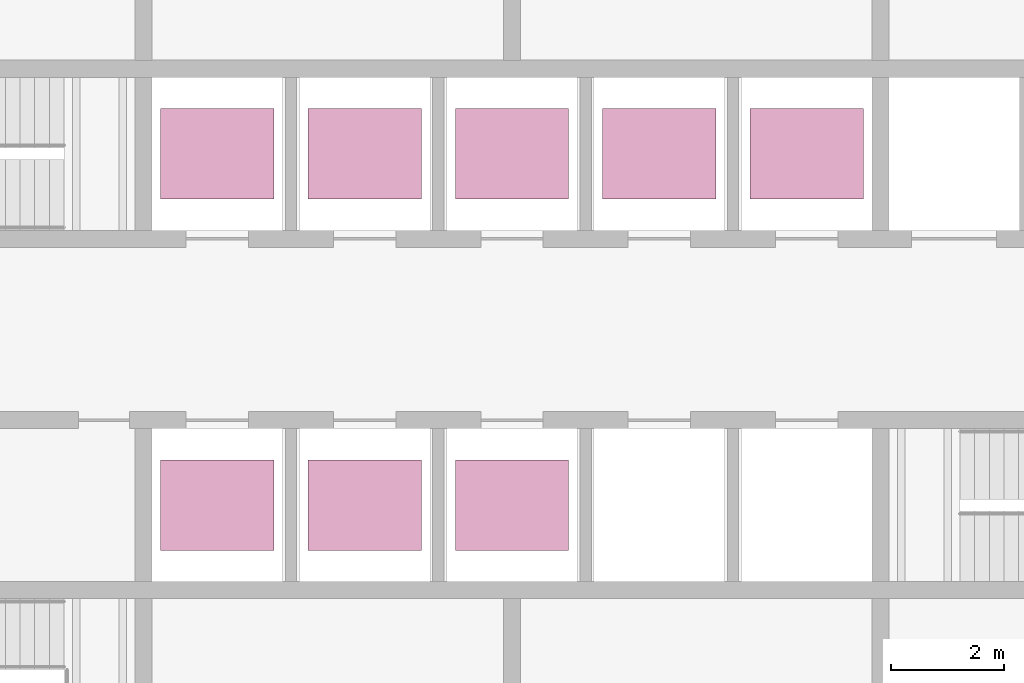
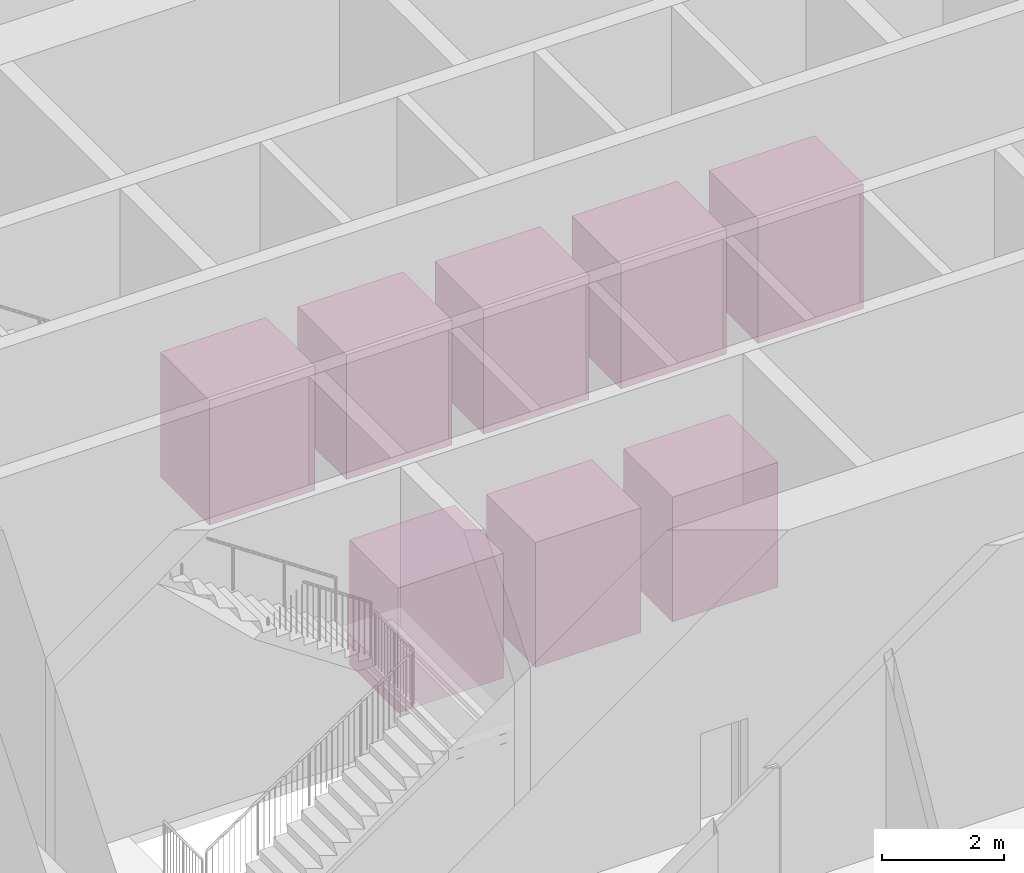
# One storey, part 23 of 23: 8 transport elements.
"""IFC4 building model written with IfcOpenShell, lengths in metres."""

from ifc_helpers import new_model, si_unit, direction, frame, origin, origin_2d, place, context, subcontext, project, spatial, rectangle, extrude, material, type_object, element, save


model = new_model("IFC4")

# Units and contexts
model_context = context("Model", 3, precision=1e-05, world=origin(), true_north=direction((0.0, 1.0)))
body_context = subcontext(model_context, "Body", "Model", "MODEL_VIEW")
ifc_project = project(units=[si_unit("LENGTHUNIT", "METRE"), si_unit("AREAUNIT", "SQUARE_METRE"), si_unit("VOLUMEUNIT", "CUBIC_METRE"), si_unit("PLANEANGLEUNIT", "RADIAN"), si_unit("MASSUNIT", "GRAM", prefix="KILO")], contexts=[model_context])

# Site, building, storey
site_placement = place(None, origin())
site = spatial("IfcSite", under=ifc_project, at=site_placement, CompositionType="ELEMENT")
building_placement = place(site_placement, origin())
building = spatial("IfcBuilding", under=site, at=building_placement, Name="Marramba Exchange Tower", CompositionType="ELEMENT")
storey_placement = place(building_placement, origin())
storey = spatial("IfcBuildingStorey", under=building, at=storey_placement, Name="L00", CompositionType="ELEMENT", Elevation=0.0)

# Transport elements
ifc_material = material(Name="Steel lift car, stainless steel lining", Category="steel")
transport_element_type_1 = type_object("IfcTransportElementType", Name="Executive passenger lift car 2000x1600", PredefinedType="ELEVATOR", material=ifc_material)
for number, where, z_axis, x_axis, name in (
    (1, (2.60009765625, 3.10009765625, 0.0), (0.0, 0.0, 1.0), (1.0, 0.0, 0.0), "Lift LD1"),
    (2, (5.199951171875, 3.10009765625, 0.0), (0.0, 0.0, 1.0), (1.0, 0.0, 0.0), "Lift LD2"),
):
    element("IfcTransportElement", number, at=place(storey_placement, frame(where, z_axis=z_axis, x_axis=x_axis)), inside=storey, type_object=transport_element_type_1, Name=name, PredefinedType="ELEVATOR", context=body_context, shape_type="SweptSolid", body=[
        extrude(rectangle(XDim=2.0, YDim=1.60009765625, at=origin_2d()), origin(), (0.0, 0.0, 1.0), 2.5),
    ])
transport_element_type_2 = type_object("IfcTransportElementType", Name="Low-rise passenger lift car 2000x1600", PredefinedType="ELEVATOR", material=ifc_material)
for number, where, z_axis, x_axis, name in (
    (3, (-5.199951171875, 3.10009765625, 0.0), (0.0, 0.0, 1.0), (1.0, 0.0, 0.0), "Lift LA1"),
    (4, (-2.60009765625, 3.10009765625, 0.0), (0.0, 0.0, 1.0), (1.0, 0.0, 0.0), "Lift LA2"),
    (5, (0.0, 3.10009765625, 0.0), (0.0, 0.0, 1.0), (1.0, 0.0, 0.0), "Lift LA3"),
):
    element("IfcTransportElement", number, at=place(storey_placement, frame(where, z_axis=z_axis, x_axis=x_axis)), inside=storey, type_object=transport_element_type_2, Name=name, PredefinedType="ELEVATOR", context=body_context, shape_type="SweptSolid", body=[
        extrude(rectangle(XDim=2.0, YDim=1.60009765625, at=origin_2d()), origin(), (0.0, 0.0, 1.0), 2.5),
    ])
transport_element_type_3 = type_object("IfcTransportElementType", Name="Mid-rise passenger lift car 2000x1600", PredefinedType="ELEVATOR", material=ifc_material)
for number, where, z_axis, x_axis, name in (
    (6, (-5.199951171875, -3.10009765625, 0.0), (0.0, 0.0, 1.0), (1.0, 0.0, 0.0), "Lift LB1"),
    (7, (-2.60009765625, -3.10009765625, 0.0), (0.0, 0.0, 1.0), (1.0, 0.0, 0.0), "Lift LB2"),
    (8, (0.0, -3.10009765625, 0.0), (0.0, 0.0, 1.0), (1.0, 0.0, 0.0), "Lift LB3"),
):
    element("IfcTransportElement", number, at=place(storey_placement, frame(where, z_axis=z_axis, x_axis=x_axis)), inside=storey, type_object=transport_element_type_3, Name=name, PredefinedType="ELEVATOR", context=body_context, shape_type="SweptSolid", body=[
        extrude(rectangle(XDim=2.0, YDim=1.60009765625, at=origin_2d()), origin(), (0.0, 0.0, 1.0), 2.5),
    ])

save(model, "model.ifc")
